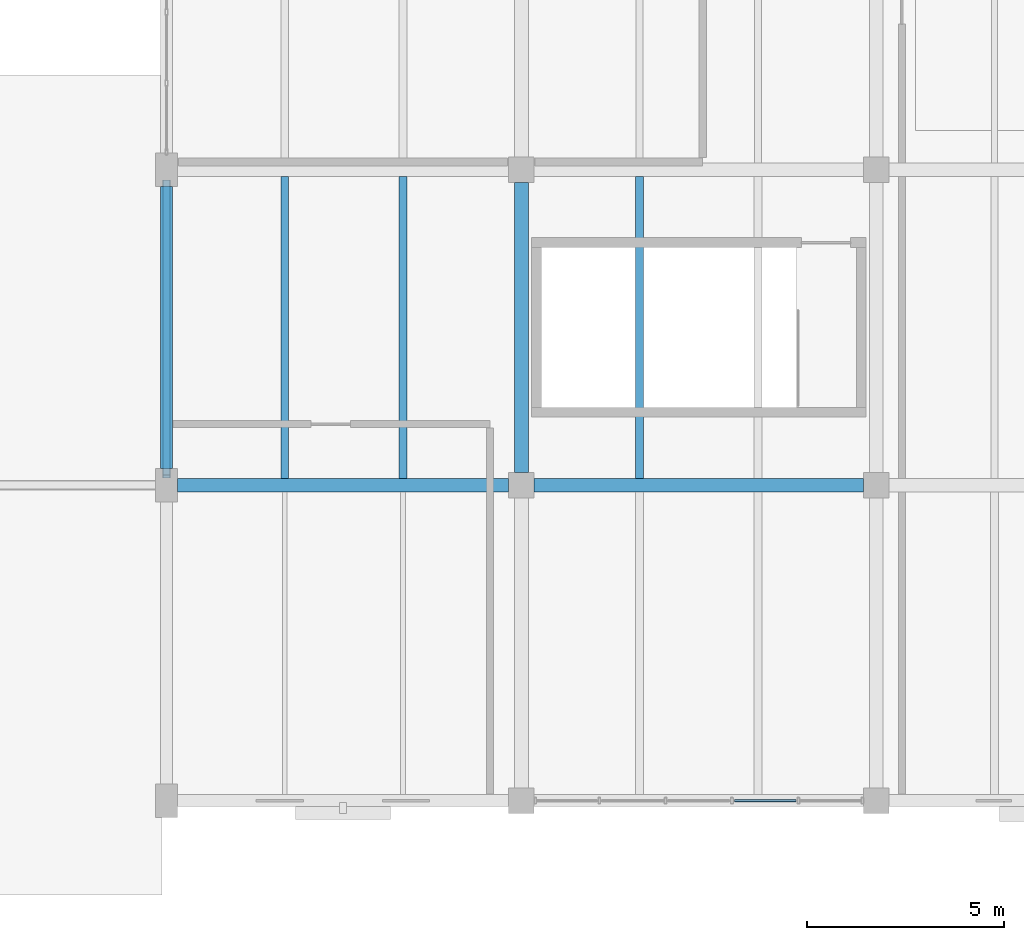
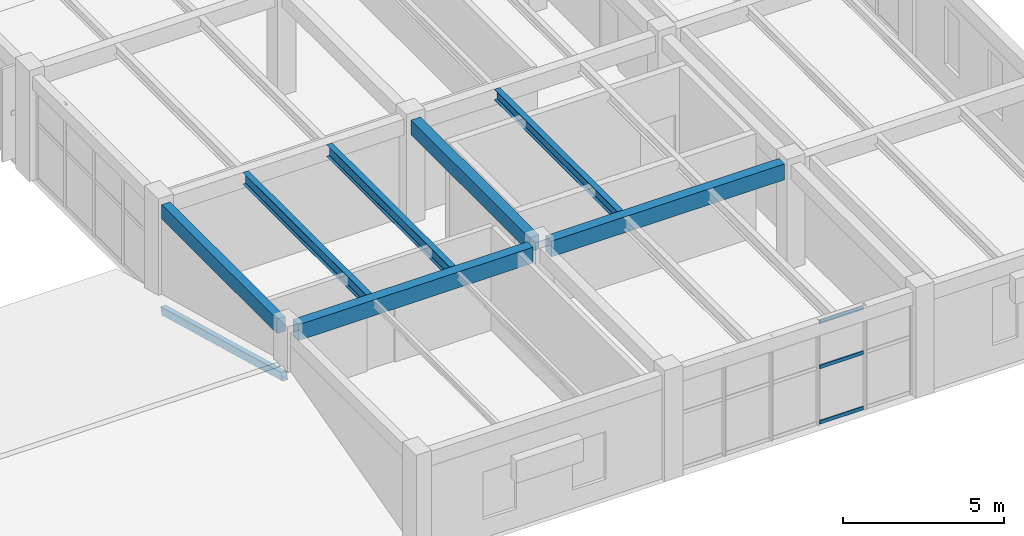
# One storey, part 16 of 71: 7 beams, 4 members, 1 element without a shape of its own.
"""IFC4 building model written with IfcOpenShell, lengths in metres."""

from ifc_helpers import new_model, si_unit, derived_unit, direction, frame, origin, origin_2d, place, context, subcontext, project, spatial, rectangle, hollow_rectangle, i_section, extrude, material, material_profile, profile_set, type_object, element, aggregate, save


model = new_model("IFC4")

# Units and contexts
model_context = context("Model", 3, precision=1e-05, world=origin(), true_north=direction((0.0, 1.0)))
body_context = subcontext(model_context, "Body", "Model", "MODEL_VIEW")
ifc_project = project(units=[si_unit("LENGTHUNIT", "METRE"), si_unit("AREAUNIT", "SQUARE_METRE"), si_unit("VOLUMEUNIT", "CUBIC_METRE"), si_unit("PLANEANGLEUNIT", "RADIAN"), si_unit("MASSUNIT", "GRAM", prefix="KILO"), derived_unit("THERMALTRANSMITTANCEUNIT", [(si_unit("MASSUNIT", "GRAM", prefix="KILO"), 1), (si_unit("TIMEUNIT", "SECOND"), -3), (si_unit("THERMODYNAMICTEMPERATUREUNIT", "KELVIN"), -1)])], contexts=[model_context])

# Site, building, storey
site_placement = place(None, origin())
site = spatial("IfcSite", under=ifc_project, at=site_placement, CompositionType="ELEMENT")
building_placement = place(site_placement, origin())
building = spatial("IfcBuilding", under=site, at=building_placement, Name="Zhenchuan Archway Interchange", CompositionType="ELEMENT")
storey_placement = place(building_placement, frame((0.0, 0.0, 18.60009765625)))
storey = spatial("IfcBuildingStorey", under=building, at=storey_placement, Name="L04", CompositionType="ELEMENT", Elevation=18.60009765625)

# Beams
ifc_material_1 = material(Name="Concrete C40", Category="concrete")
ifc_material_profile_1 = material_profile(ifc_material_1, rectangle(XDim=0.35009765625, YDim=0.550048828125, at=origin_2d()), Name="RC 350x550")
ifc_profile_set_1 = profile_set([ifc_material_profile_1], Name="Concrete C40")
beam_type_1 = type_object("IfcBeamType", Name="BM_RC_350x550", PredefinedType="BEAM", material=ifc_profile_set_1)
beam_1_placement = place(storey_placement, frame((153.0, 16.324951171875, 3.664794921875), z_axis=(0.0, 1.0, 0.0), x_axis=(-1.0, 0.0, 0.0)))
element("IfcBeam", 1, at=beam_1_placement, inside=storey, type_object=beam_type_1, Name="Beam 18:C-D (L04)", PredefinedType="BEAM", context=body_context, shape_type="SweptSolid", body=[
    extrude(rectangle(XDim=0.35009765625, YDim=0.550048828125, at=origin_2d()), origin(), (0.0, 0.0, 1.0), 7.35009765625),
])
ifc_material_profile_2 = material_profile(ifc_material_1, rectangle(XDim=0.35009765625, YDim=0.60009765625, at=origin_2d()), Name="RC 350x600")
ifc_profile_set_2 = profile_set([ifc_material_profile_2], Name="Concrete C40")
beam_type_2 = type_object("IfcBeamType", Name="BM_RC_350x600", PredefinedType="BEAM", material=ifc_profile_set_2)
beam_2_placement = place(storey_placement, frame((144.27490234375, 16.0, 3.639892578125), z_axis=(1.0, 0.0, 0.0), x_axis=(0.0, 1.0, 0.0)))
element("IfcBeam", 2, at=beam_2_placement, inside=storey, type_object=beam_type_2, Name="Beam C:17-18 (L04)", PredefinedType="BEAM", context=body_context, shape_type="SweptSolid", body=[
    extrude(rectangle(XDim=0.35009765625, YDim=0.60009765625, at=origin_2d()), origin(), (0.0, 0.0, 1.0), 8.400146484375),
])
beam_3_placement = place(storey_placement, frame((153.324951171875, 16.0, 3.639892578125), z_axis=(1.0, 0.0, 0.0), x_axis=(0.0, 1.0, 0.0)))
element("IfcBeam", 3, at=beam_3_placement, inside=storey, type_object=beam_type_2, Name="Beam C:18-19 (L04)", PredefinedType="BEAM", context=body_context, shape_type="SweptSolid", body=[
    extrude(rectangle(XDim=0.35009765625, YDim=0.60009765625, at=origin_2d()), origin(), (0.0, 0.0, 1.0), 8.35009765625),
])

# Curtain wall, members
ifc_material_2 = material(Name="Anodised Aluminium", Category="aluminium")
curtain_wall_type = type_object("IfcCurtainWallType", Name="CW_UNIT_1", PredefinedType="NOTDEFINED", material=ifc_material_2)
curtain_wall_placement = place(storey_placement, origin())
curtain_wall = element("IfcCurtainWall", 4, at=curtain_wall_placement, inside=storey, type_object=curtain_wall_type, Name="Unitised curtain wall CW:L04:188", PredefinedType="NOTDEFINED")
ifc_material_profile_3 = material_profile(ifc_material_2, hollow_rectangle(XDim=0.06005859375, YDim=0.139892578125, WallThickness=0.00341796875, InnerFilletRadius=0.00341796875, OuterFilletRadius=0.007080078125, at=origin_2d()), Name="ALU 140x60x3.5")
ifc_profile_set_3 = profile_set([ifc_material_profile_3], Name="Anodised Aluminium")
member_type_1 = type_object("IfcMemberType", Name="CW_TRN_140", PredefinedType="USERDEFINED", material=ifc_profile_set_3)
member_1_placement = place(storey_placement, frame((159.964111328125, 8.0, 0.059814453125), z_axis=(-1.0, 0.0, 0.0), x_axis=(0.0, -1.0, 0.0)))
member_1 = element("IfcMember", 5, at=member_1_placement, type_object=member_type_1, Name="CW:L04:188 transom 1-1", ObjectType="TRANSOM", PredefinedType="USERDEFINED", context=body_context, shape_type="SweptSolid", body=[
    extrude(hollow_rectangle(XDim=0.06005859375, YDim=0.139892578125, WallThickness=0.00341796875, InnerFilletRadius=0.00341796875, OuterFilletRadius=0.007080078125, at=origin_2d()), origin(), (0.0, 0.0, 1.0), 1.562744140625),
])
member_2_placement = place(storey_placement, frame((159.964111328125, 8.0, 2.156005859375), z_axis=(-1.0, 0.0, 0.0), x_axis=(0.0, -1.0, 0.0)))
member_2 = element("IfcMember", 6, at=member_2_placement, type_object=member_type_1, Name="CW:L04:188 transom 1-2", ObjectType="TRANSOM", PredefinedType="USERDEFINED", context=body_context, shape_type="SweptSolid", body=[
    extrude(hollow_rectangle(XDim=0.06005859375, YDim=0.139892578125, WallThickness=0.00341796875, InnerFilletRadius=0.00341796875, OuterFilletRadius=0.007080078125, at=origin_2d()), origin(), (0.0, 0.0, 1.0), 1.562744140625),
])
member_3_placement = place(storey_placement, frame((159.964111328125, 8.0, 3.85986328125), z_axis=(-1.0, 0.0, 0.0), x_axis=(0.0, -1.0, 0.0)))
member_3 = element("IfcMember", 7, at=member_3_placement, type_object=member_type_1, Name="CW:L04:188 transom 1-3", ObjectType="TRANSOM", PredefinedType="USERDEFINED", context=body_context, shape_type="SweptSolid", body=[
    extrude(hollow_rectangle(XDim=0.06005859375, YDim=0.139892578125, WallThickness=0.00341796875, InnerFilletRadius=0.00341796875, OuterFilletRadius=0.007080078125, at=origin_2d()), origin(), (0.0, 0.0, 1.0), 1.562744140625),
])
aggregate(curtain_wall, [member_1, member_2, member_3])

# Beams
ifc_material_3 = material(Name="Steel Q355", Category="steel")
ifc_material_profile_4 = material_profile(ifc_material_3, i_section(OverallWidth=0.199951171875, OverallDepth=0.39990234375, WebThickness=0.008056640625, FlangeThickness=0.012939453125, FilletRadius=0.01611328125, at=origin_2d()), Name="HN 400x200")
ifc_profile_set_4 = profile_set([ifc_material_profile_4], Name="Steel Q355")
beam_type_3 = type_object("IfcBeamType", Name="JST_STL_HN400", PredefinedType="JOIST", material=ifc_profile_set_4)
beam_4_placement = place(storey_placement, frame((156.0, 16.175048828125, 3.739990234375), z_axis=(0.0, 1.0, 0.0), x_axis=(-1.0, 0.0, 0.0)))
element("IfcBeam", 8, at=beam_4_placement, inside=storey, type_object=beam_type_3, Name="Secondary joist 18-19/C-D #1 (L04)", PredefinedType="JOIST", context=body_context, shape_type="SweptSolid", body=[
    extrude(i_section(OverallWidth=0.199951171875, OverallDepth=0.39990234375, WebThickness=0.008056640625, FlangeThickness=0.012939453125, FilletRadius=0.01611328125, at=origin_2d()), origin(), (0.0, 0.0, 1.0), 7.64990234375),
])
ifc_material_profile_5 = material_profile(ifc_material_3, i_section(OverallWidth=0.199951171875, OverallDepth=0.449951171875, WebThickness=0.009033203125, FlangeThickness=0.013916015625, FilletRadius=0.01806640625, at=origin_2d()), Name="HN 450x200")
ifc_profile_set_5 = profile_set([ifc_material_profile_5], Name="Steel Q355")
beam_type_4 = type_object("IfcBeamType", Name="JST_STL_HN450", PredefinedType="JOIST", material=ifc_profile_set_5)
for number, where, z_axis, x_axis, name in (
    (9, (147.0, 16.175048828125, 3.71484375), (0.0, 1.0, 0.0), (-1.0, 0.0, 0.0), "Secondary joist 17-18/C-D #1 (L04)"),
    (10, (150.0, 16.175048828125, 3.71484375), (0.0, 1.0, 0.0), (-1.0, 0.0, 0.0), "Secondary joist 17-18/C-D #2 (L04)"),
):
    element("IfcBeam", number, at=place(storey_placement, frame(where, z_axis=z_axis, x_axis=x_axis)), inside=storey, type_object=beam_type_4, Name=name, PredefinedType="JOIST", context=body_context, shape_type="SweptSolid", body=[
        extrude(i_section(OverallWidth=0.199951171875, OverallDepth=0.449951171875, WebThickness=0.009033203125, FlangeThickness=0.013916015625, FilletRadius=0.01806640625, at=origin_2d()), origin(), (0.0, 0.0, 1.0), 7.64990234375),
    ])

# Member
ifc_material_profile_6 = material_profile(ifc_material_3, hollow_rectangle(XDim=0.199951171875, YDim=0.300048828125, WallThickness=0.010009765625, InnerFilletRadius=0.010009765625, OuterFilletRadius=0.02001953125, at=origin_2d()), Name="RHS 300x200x10")
ifc_profile_set_6 = profile_set([ifc_material_profile_6], Name="Steel Q355")
member_type_2 = type_object("IfcMemberType", Name="MB_RHS300", PredefinedType="CHORD", material=ifc_profile_set_6)
member_4_placement = place(storey_placement, frame((144.0, 16.219970703125, 1.85986328125), z_axis=(0.0, 0.964762367881, -0.263122734709), x_axis=(-1.0, 0.0, 0.0)))
element("IfcMember", 11, at=member_4_placement, inside=storey, type_object=member_type_2, Name="Courtyard S-arm rafter X144-2", PredefinedType="CHORD", context=body_context, shape_type="SweptSolid", body=[
    extrude(hollow_rectangle(XDim=0.199951171875, YDim=0.300048828125, WallThickness=0.010009765625, InnerFilletRadius=0.010009765625, OuterFilletRadius=0.02001953125, at=origin_2d()), origin(), (0.0, 0.0, 1.0), 7.753173828125),
])

# Beam
ifc_material_profile_7 = material_profile(ifc_material_1, rectangle(XDim=0.300048828125, YDim=0.550048828125, at=origin_2d()), Name="RC 300x550")
ifc_profile_set_7 = profile_set([ifc_material_profile_7], Name="Concrete C40")
beam_type_5 = type_object("IfcBeamType", Name="SP_RC_300x550", PredefinedType="SPANDREL", material=ifc_profile_set_7)
beam_5_placement = place(storey_placement, frame((144.0, 16.425048828125, 3.664794921875), z_axis=(0.0, 1.0, 0.0), x_axis=(-1.0, 0.0, 0.0)))
element("IfcBeam", 12, at=beam_5_placement, inside=storey, type_object=beam_type_5, Name="Beam 17:C-D (L04)", PredefinedType="SPANDREL", context=body_context, shape_type="SweptSolid", body=[
    extrude(rectangle(XDim=0.300048828125, YDim=0.550048828125, at=origin_2d()), origin(), (0.0, 0.0, 1.0), 7.14990234375),
])

save(model, "model.ifc")
